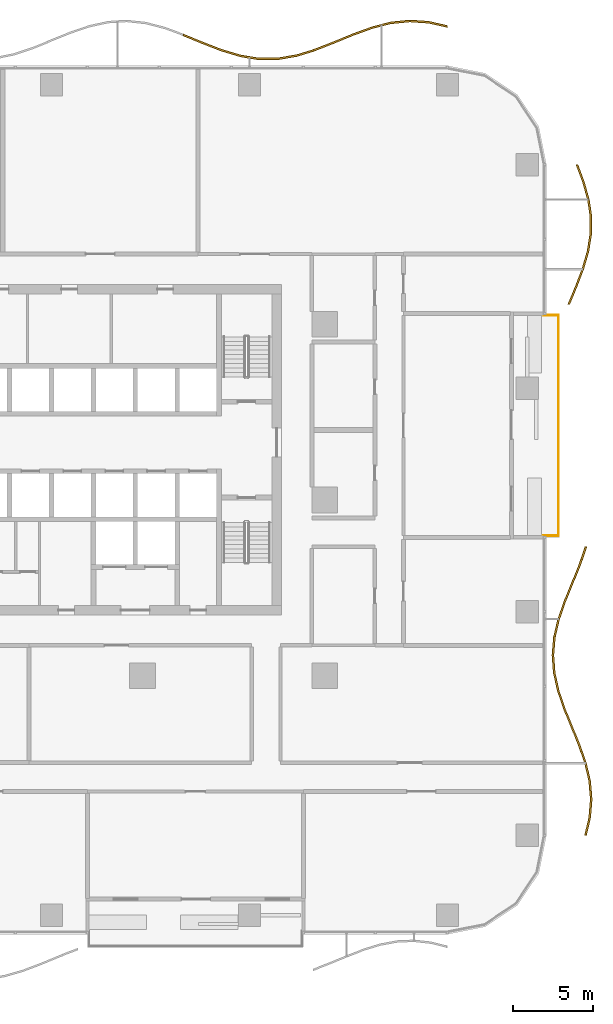
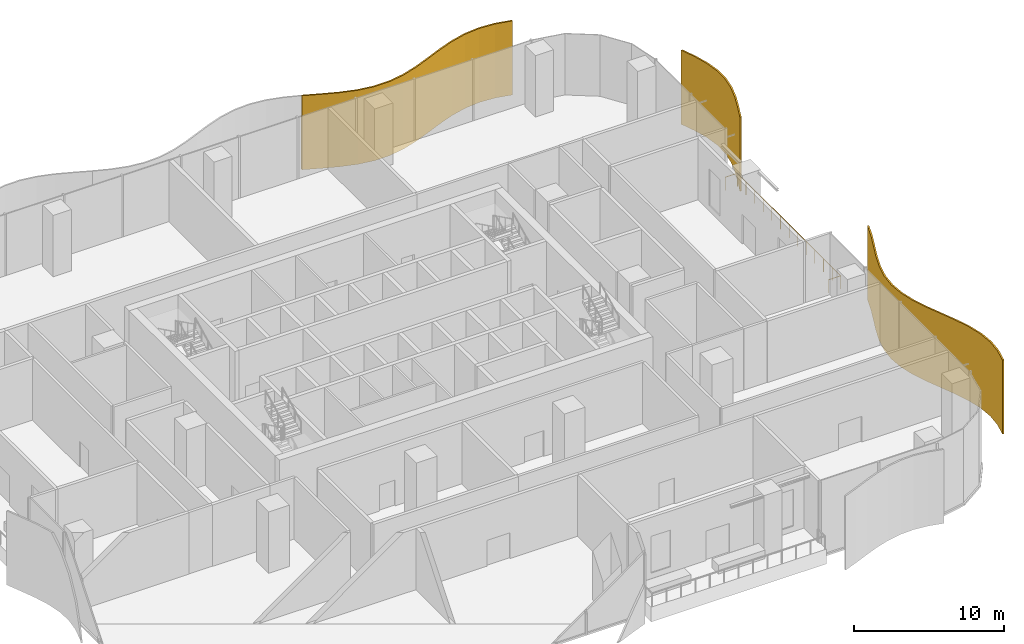
# One storey, part 21 of 21: 3 shading devices, 1 railing.
"""IFC4 building model written with IfcOpenShell, lengths in metres."""

import ifcopenshell
import ifcopenshell.guid

model = None  # the IFC model being written
_history = None  # IfcOwnerHistory: only IFC2X3 demands one
_inside = {}  # id of a spatial element -> (the spatial element, [elements in it])
_under = {}  # id of a project, library or spatial element -> (it, [spatial elements below it])
_declared = {}  # id of a project -> (the project, [libraries it declares])
_typed = {}  # id of a type object -> (the type object, [elements of that type])
_made_of = {}  # id of a material, layer set ... -> (it, [elements and type objects made of it])


def new_model(schema):
    """Start an empty IFC model of exactly this schema.

    Asked for "IFC4X3", IfcOpenShell would pick the latest addendum, in which some entities
    have other attributes; the version numbers below select the first issue.
    IFC2X3 requires an IfcOwnerHistory on every rooted entity: one is made here for all.
    """
    global model, _history
    if schema == "IFC4X3":
        model = ifcopenshell.file(schema_version=(4, 3, 0, 0))
    else:
        model = ifcopenshell.file(schema=schema)
    _inside.clear()
    _under.clear()
    _declared.clear()
    _typed.clear()
    _made_of.clear()
    _history = None
    if model.schema == "IFC2X3":
        org = make("IfcOrganization", Name="unknown")
        user = make(
            "IfcPersonAndOrganization",
            ThePerson=make("IfcPerson", FamilyName="unknown"),
            TheOrganization=org,
        )
        app = make(
            "IfcApplication",
            ApplicationDeveloper=org,
            Version="unknown",
            ApplicationFullName="unknown",
            ApplicationIdentifier="unknown",
        )
        _history = make(
            "IfcOwnerHistory",
            OwningUser=user,
            OwningApplication=app,
            ChangeAction="ADDED",
            CreationDate=0,
        )
    return model


def make(cls, **values):
    """One entity of the class cls with the attributes given. An attribute that is None is left unset."""
    return model.create_entity(
        cls, **{name: value for name, value in values.items() if value is not None}
    )


def rooted(cls, **values):
    """An entity with a GlobalId (a new one), such as an element, a storey or a relation."""
    return make(cls, GlobalId=ifcopenshell.guid.new(), OwnerHistory=_history, **values)


def si_unit(unit_type, name, prefix=None):
    """IfcSIUnit, for example si_unit("LENGTHUNIT", "METRE", prefix="MILLI")."""
    return make("IfcSIUnit", UnitType=unit_type, Prefix=prefix, Name=name)


def assignment(units):
    """IfcUnitAssignment: the units of a project."""
    return None if units is None else make("IfcUnitAssignment", Units=units)


def point(xyz):
    """IfcCartesianPoint."""
    return None if xyz is None else make("IfcCartesianPoint", Coordinates=xyz)


def direction(xyz):
    """IfcDirection."""
    return None if xyz is None else make("IfcDirection", DirectionRatios=xyz)


def frame(location, z_axis=None, x_axis=None):
    """IfcAxis2Placement3D, a coordinate frame: its origin and axes. An axis left out is left unset."""
    return make(
        "IfcAxis2Placement3D",
        Location=point(location),
        Axis=direction(z_axis),
        RefDirection=direction(x_axis),
    )


def frame_2d(location, x_axis=None):
    """IfcAxis2Placement2D, a coordinate frame in the plane: its origin and x axis."""
    return make(
        "IfcAxis2Placement2D", Location=point(location), RefDirection=direction(x_axis)
    )


def origin():
    """The frame at (0, 0, 0) with its axes left unset."""
    return frame((0.0, 0.0, 0.0))


def origin_2d():
    """The frame at (0, 0) in the plane with its x axis left unset."""
    return frame_2d((0.0, 0.0))


def place(relative_to, where):
    """IfcLocalPlacement: puts the frame where relative to a parent placement (None: the world)."""
    return make(
        "IfcLocalPlacement", PlacementRelTo=relative_to, RelativePlacement=where
    )


def context(
    kind, dimensions, precision=None, world=None, true_north=None, identifier=None
):
    """IfcGeometricRepresentationContext, for example the 3D "Model" context."""
    return make(
        "IfcGeometricRepresentationContext",
        ContextIdentifier=identifier,
        ContextType=kind,
        CoordinateSpaceDimension=dimensions,
        Precision=precision,
        WorldCoordinateSystem=world,
        TrueNorth=true_north,
    )


def subcontext(parent, identifier, kind, view, scale=None):
    """IfcGeometricRepresentationSubContext, for example "Body" below "Model"."""
    return make(
        "IfcGeometricRepresentationSubContext",
        ContextIdentifier=identifier,
        ContextType=kind,
        ParentContext=parent,
        TargetScale=scale,
        TargetView=view,
    )


def project(units=None, contexts=None):
    """IfcProject with its units and contexts."""
    return rooted(
        "IfcProject",
        Name="project",
        RepresentationContexts=contexts,
        UnitsInContext=assignment(units),
    )


def spatial(cls, under=None, at=None, **own):
    """A site, building, storey or space (cls), placed at a placement, below another one or the project."""
    s = rooted(cls, ObjectPlacement=at, **own)
    if under is not None:
        _under.setdefault(under.id(), (under, []))[1].append(s)
    return s


def polyline(points):
    """IfcPolyline through the points."""
    return make("IfcPolyline", Points=[point(p) for p in points])


def profile(cls, at=None, kind="AREA", **sizes):
    """A parametric profile (cls). Its sizes go by their IFC names, for example OverallWidth=200.0."""
    return make(cls, ProfileType=kind, Position=at, **sizes)


def circle(**sizes):
    """IfcCircleProfileDef."""
    return profile("IfcCircleProfileDef", **sizes)


def outline(outer, holes=None, kind="AREA"):
    """IfcArbitraryClosedProfileDef: a profile drawn as a closed curve; with holes, ...WithVoids."""
    if holes is None:
        return make("IfcArbitraryClosedProfileDef", ProfileType=kind, OuterCurve=outer)
    return make(
        "IfcArbitraryProfileDefWithVoids",
        ProfileType=kind,
        OuterCurve=outer,
        InnerCurves=holes,
    )


def extrude(swept, where, along, depth):
    """IfcExtrudedAreaSolid: the profile swept, set in the frame where, extruded along a direction by depth."""
    return make(
        "IfcExtrudedAreaSolid",
        SweptArea=swept,
        Position=where,
        ExtrudedDirection=direction(along),
        Depth=depth,
    )


def shape(context_of_items, identifier, shape_type, items):
    """IfcShapeRepresentation: the items that make up one representation, for example the "Body"."""
    return make(
        "IfcShapeRepresentation",
        ContextOfItems=context_of_items,
        RepresentationIdentifier=identifier,
        RepresentationType=shape_type,
        Items=items,
    )


def material(Name=None, Category=None):
    """IfcMaterial."""
    return make("IfcMaterial", Name=Name, Category=Category)


def layer(
    of_material, thickness, ventilated=None, Name=None, Category=None, Priority=None
):
    """IfcMaterialLayer: one layer of a wall or slab, of a material (None: an air gap)."""
    return make(
        "IfcMaterialLayer",
        Material=of_material,
        LayerThickness=thickness,
        IsVentilated=ventilated,
        Name=Name,
        Category=Category,
        Priority=Priority,
    )


def layer_set(layers, Name=None):
    """IfcMaterialLayerSet."""
    return make("IfcMaterialLayerSet", MaterialLayers=layers, LayerSetName=Name)


def made_of(thing, what):
    """Note that an element or type object is made of a material, layer set ...; save() writes the relation."""
    if what is not None:
        _made_of.setdefault(what.id(), (what, []))[1].append(thing)
    return thing


def type_object(cls, material=None, **own):
    """A type object (cls), such as IfcWallType, which elements share."""
    return made_of(rooted(cls, **own), material)


def element(
    cls,
    number,
    at=None,
    inside=None,
    cuts=None,
    type_object=None,
    material=None,
    context=None,
    identifier="Body",
    shape_type=None,
    held_by="IfcProductDefinitionShape",
    body=None,
    shapes=None,
    **own,
):
    """One element of the class cls, such as IfcWall. Its Tag is "e" and its number.

    at: its placement. inside: the storey or other place that contains it. cuts: it is an
    opening in that element (IfcRelVoidsElement). A single representation is given by context,
    identifier, shape_type and body (its items); several are given by shapes. held_by: the class
    of the entity that holds the representations. save() writes the other relations.
    """
    e = rooted(cls, Tag="e%d" % number, ObjectPlacement=at, **own)
    if body is not None:
        shapes = [shape(context, identifier, shape_type, body)]
    if shapes is not None:
        e.Representation = make(held_by, Representations=shapes)
    if inside is not None:
        _inside.setdefault(inside.id(), (inside, []))[1].append(e)
    if cuts is not None:
        rooted(
            "IfcRelVoidsElement", RelatingBuildingElement=cuts, RelatedOpeningElement=e
        )
    if type_object is not None:
        _typed.setdefault(type_object.id(), (type_object, []))[1].append(e)
    return made_of(e, material)


def aggregate(whole, parts):
    """IfcRelAggregates: a whole, such as a stair, and the parts it consists of."""
    return rooted("IfcRelAggregates", RelatingObject=whole, RelatedObjects=parts)


def save(model, path):
    """Write the relations noted so far, then the file.

    IfcRelAggregates (storeys below a building ...), IfcRelContainedInSpatialStructure (elements
    in a storey), IfcRelDefinesByType, IfcRelAssociatesMaterial and IfcRelDeclares: one each for
    every whole, place, type object, material and project.
    """
    for whole, parts in _under.values():
        aggregate(whole, parts)
    for where, things in _inside.values():
        rooted(
            "IfcRelContainedInSpatialStructure",
            RelatedElements=things,
            RelatingStructure=where,
        )
    for kind, things in _typed.values():
        rooted("IfcRelDefinesByType", RelatedObjects=things, RelatingType=kind)
    for what, things in _made_of.values():
        rooted("IfcRelAssociatesMaterial", RelatedObjects=things, RelatingMaterial=what)
    for by, libraries in _declared.values():
        rooted("IfcRelDeclares", RelatingContext=by, RelatedDefinitions=libraries)
    model.write(path)


model = new_model("IFC4")

# Units and contexts
model_context = context("Model", 3, precision=1e-05, world=origin(), true_north=direction((0.0, 1.0)))
body_context = subcontext(model_context, "Body", "Model", "MODEL_VIEW")
ifc_project = project(units=[si_unit("LENGTHUNIT", "METRE"), si_unit("AREAUNIT", "SQUARE_METRE"), si_unit("VOLUMEUNIT", "CUBIC_METRE"), si_unit("PLANEANGLEUNIT", "RADIAN"), si_unit("MASSUNIT", "GRAM", prefix="KILO")], contexts=[model_context])

# Site, building, storey
site_placement = place(None, origin())
site = spatial("IfcSite", under=ifc_project, at=site_placement, CompositionType="ELEMENT")
building_placement = place(site_placement, origin())
building = spatial("IfcBuilding", under=site, at=building_placement, Name="Mopane Tessera Tower", CompositionType="ELEMENT")
storey_placement = place(building_placement, frame((0.0, 0.0, 9.0)))
storey = spatial("IfcBuildingStorey", under=building, at=storey_placement, Name="L01", CompositionType="ELEMENT", Elevation=9.0)

# Railing
ifc_material_1 = material(Name="Stainless steel S316", Category="steel")
railing_type = type_object("IfcRailingType", Name="Terrace guard 1100", PredefinedType="GUARDRAIL", material=ifc_material_1)
railing_placement = place(storey_placement, frame((30.800048828125, -2.2333984375, 0.0)))
element("IfcRailing", 1, at=railing_placement, inside=storey, type_object=railing_type, Name="e:nw:L01:N2:guard", PredefinedType="GUARDRAIL", context=body_context, shape_type="SweptSolid", body=[
    extrude(circle(Radius=0.02392578125, at=origin_2d()), frame((0.0, 0.0, 1.076171875), z_axis=(1.0, 0.0, 0.0), x_axis=(0.0, 1.0, 0.0)), (0.0, 0.0, 1.0), 0.949951171875),
    extrude(circle(Radius=0.02392578125, at=origin_2d()), frame((0.949951171875, 0.0, 1.076171875), z_axis=(0.0, 1.0, 0.0), x_axis=(-1.0, 0.0, 0.0)), (0.0, 0.0, 1.0), 13.800048828125),
    extrude(circle(Radius=0.02392578125, at=origin_2d()), frame((0.949951171875, 13.800048828125, 1.076171875), z_axis=(-1.0, 0.0, 0.0), x_axis=(0.0, -1.0, 0.0)), (0.0, 0.0, 1.0), 0.949951171875),
    extrude(circle(Radius=0.02099609375, at=origin_2d()), origin(), (0.0, 0.0, 1.0), 1.052001953125),
    extrude(circle(Radius=0.02099609375, at=origin_2d()), frame((0.949951171875, 0.0, 0.0)), (0.0, 0.0, 1.0), 1.052001953125),
    extrude(circle(Radius=0.02099609375, at=origin_2d()), frame((0.949951171875, 1.14990234375, 0.0)), (0.0, 0.0, 1.0), 1.052001953125),
    extrude(circle(Radius=0.02099609375, at=origin_2d()), frame((0.949951171875, 2.300048828125, 0.0)), (0.0, 0.0, 1.0), 1.052001953125),
    extrude(circle(Radius=0.02099609375, at=origin_2d()), frame((0.949951171875, 3.449951171875, 0.0)), (0.0, 0.0, 1.0), 1.052001953125),
    extrude(circle(Radius=0.02099609375, at=origin_2d()), frame((0.949951171875, 4.60009765625, 0.0)), (0.0, 0.0, 1.0), 1.052001953125),
    extrude(circle(Radius=0.02099609375, at=origin_2d()), frame((0.949951171875, 5.75, 0.0)), (0.0, 0.0, 1.0), 1.052001953125),
    extrude(circle(Radius=0.02099609375, at=origin_2d()), frame((0.949951171875, 6.89990234375, 0.0)), (0.0, 0.0, 1.0), 1.052001953125),
    extrude(circle(Radius=0.02099609375, at=origin_2d()), frame((0.949951171875, 8.050048828125, 0.0)), (0.0, 0.0, 1.0), 1.052001953125),
    extrude(circle(Radius=0.02099609375, at=origin_2d()), frame((0.949951171875, 9.199951171875, 0.0)), (0.0, 0.0, 1.0), 1.052001953125),
    extrude(circle(Radius=0.02099609375, at=origin_2d()), frame((0.949951171875, 10.35009765625, 0.0)), (0.0, 0.0, 1.0), 1.052001953125),
    extrude(circle(Radius=0.02099609375, at=origin_2d()), frame((0.949951171875, 11.5, 0.0)), (0.0, 0.0, 1.0), 1.052001953125),
    extrude(circle(Radius=0.02099609375, at=origin_2d()), frame((0.949951171875, 12.650146484375, 0.0)), (0.0, 0.0, 1.0), 1.052001953125),
    extrude(circle(Radius=0.02099609375, at=origin_2d()), frame((0.949951171875, 13.800048828125, 0.0)), (0.0, 0.0, 1.0), 1.052001953125),
    extrude(circle(Radius=0.02099609375, at=origin_2d()), frame((0.0, 13.800048828125, 0.0)), (0.0, 0.0, 1.0), 1.052001953125),
])

# Shading devices
ifc_material_2 = material(Name="Anodised aluminium louvre blades", Category="aluminium")
ifc_layer = layer(ifc_material_2, 0.1201171875)
ifc_layer_set = layer_set([ifc_layer], Name="Anodised aluminium louvre blades")
shading_device_type = type_object("IfcShadingDeviceType", Name="Wave louvre screen", PredefinedType="JALOUSIE", material=ifc_layer_set)
shading_device_1_placement = place(storey_placement, frame((0.0, 0.0, -1.0400390625)))
element("IfcShadingDevice", 2, at=shading_device_1_placement, inside=storey, type_object=shading_device_type, Name="e:lv:L01:E:0", PredefinedType="JALOUSIE", context=body_context, shape_type="SweptSolid", body=[
    extrude(outline(polyline([(33.388427734375, -21.0), (33.6494140625, -19.870849609375), (33.739990234375, -18.74169921875), (33.646728515625, -17.612548828125), (33.383544921875, -16.4833984375), (32.9912109375, -15.354248046875), (32.529541015625, -14.22509765625), (32.069580078125, -13.095947265625), (31.681640625, -11.966552734375), (31.425537109375, -10.83740234375), (31.340087890625, -9.708251953125), (31.438720703125, -8.5791015625), (31.706298828125, -7.449951171875), (32.101806640625, -6.32080078125), (32.564453125, -5.191650390625), (33.023193359375, -4.0625), (33.407958984375, -2.933349609375), (33.528076171875, -2.933349609375), (33.143310546875, -4.0625), (32.684326171875, -5.191650390625), (32.221923828125, -6.32080078125), (31.826416015625, -7.449951171875), (31.558837890625, -8.5791015625), (31.460205078125, -9.708251953125), (31.54541015625, -10.83740234375), (31.8017578125, -11.966552734375), (32.189453125, -13.095947265625), (32.6494140625, -14.22509765625), (33.111083984375, -15.354248046875), (33.503662109375, -16.4833984375), (33.7666015625, -17.612548828125), (33.860107421875, -18.74169921875), (33.769287109375, -19.870849609375), (33.508544921875, -21.0), (33.388427734375, -21.0)])), origin(), (0.0, 0.0, 1.0), 6.0400390625),
])
shading_device_2_placement = place(storey_placement, frame((0.0, 0.0, -1.0400390625)))
element("IfcShadingDevice", 3, at=shading_device_2_placement, inside=storey, type_object=shading_device_type, Name="e:lv:L01:E:1", PredefinedType="JALOUSIE", context=body_context, shape_type="SweptSolid", body=[
    extrude(outline(polyline([(32.338623046875, 12.2666015625), (32.79296875, 13.3583984375), (33.2109375, 14.449951171875), (33.532958984375, 15.541748046875), (33.71240234375, 16.63330078125), (33.7236328125, 17.72509765625), (33.56494140625, 18.816650390625), (33.25927734375, 19.908447265625), (32.8505859375, 21.0), (32.970703125, 21.0), (33.37939453125, 19.908447265625), (33.68505859375, 18.816650390625), (33.843505859375, 17.72509765625), (33.832275390625, 16.63330078125), (33.65283203125, 15.541748046875), (33.3310546875, 14.449951171875), (32.912841796875, 13.3583984375), (32.45849609375, 12.2666015625), (32.338623046875, 12.2666015625)])), origin(), (0.0, 0.0, 1.0), 6.0400390625),
])
shading_device_3_placement = place(storey_placement, frame((0.0, 0.0, -1.0400390625)))
element("IfcShadingDevice", 4, at=shading_device_3_placement, inside=storey, type_object=shading_device_type, Name="e:lv:L01:N:0", PredefinedType="JALOUSIE", context=body_context, shape_type="SweptSolid", body=[
    extrude(outline(polyline([(24.800048828125, 29.588623046875), (23.619140625, 29.857421875), (22.43798828125, 29.93896484375), (21.257080078125, 29.81982421875), (20.076171875, 29.519775390625), (18.895263671875, 29.0888671875), (17.71435546875, 28.599609375), (16.533447265625, 28.134033203125), (15.352294921875, 27.769775390625), (14.17138671875, 27.568115234375), (12.990478515625, 27.562744140625), (11.8095703125, 27.754638671875), (10.628662109375, 28.11181640625), (9.447509765625, 28.573974609375), (8.2666015625, 29.06396484375), (8.2666015625, 29.18408203125), (9.447509765625, 28.694091796875), (10.628662109375, 28.231689453125), (11.8095703125, 27.874755859375), (12.990478515625, 27.682861328125), (14.17138671875, 27.688232421875), (15.352294921875, 27.8896484375), (16.533447265625, 28.25390625), (17.71435546875, 28.7197265625), (18.895263671875, 29.208984375), (20.076171875, 29.6396484375), (21.257080078125, 29.93994140625), (22.43798828125, 30.05908203125), (23.619140625, 29.977294921875), (24.800048828125, 29.70849609375), (24.800048828125, 29.588623046875)])), origin(), (0.0, 0.0, 1.0), 6.0400390625),
])

save(model, "model.ifc")
